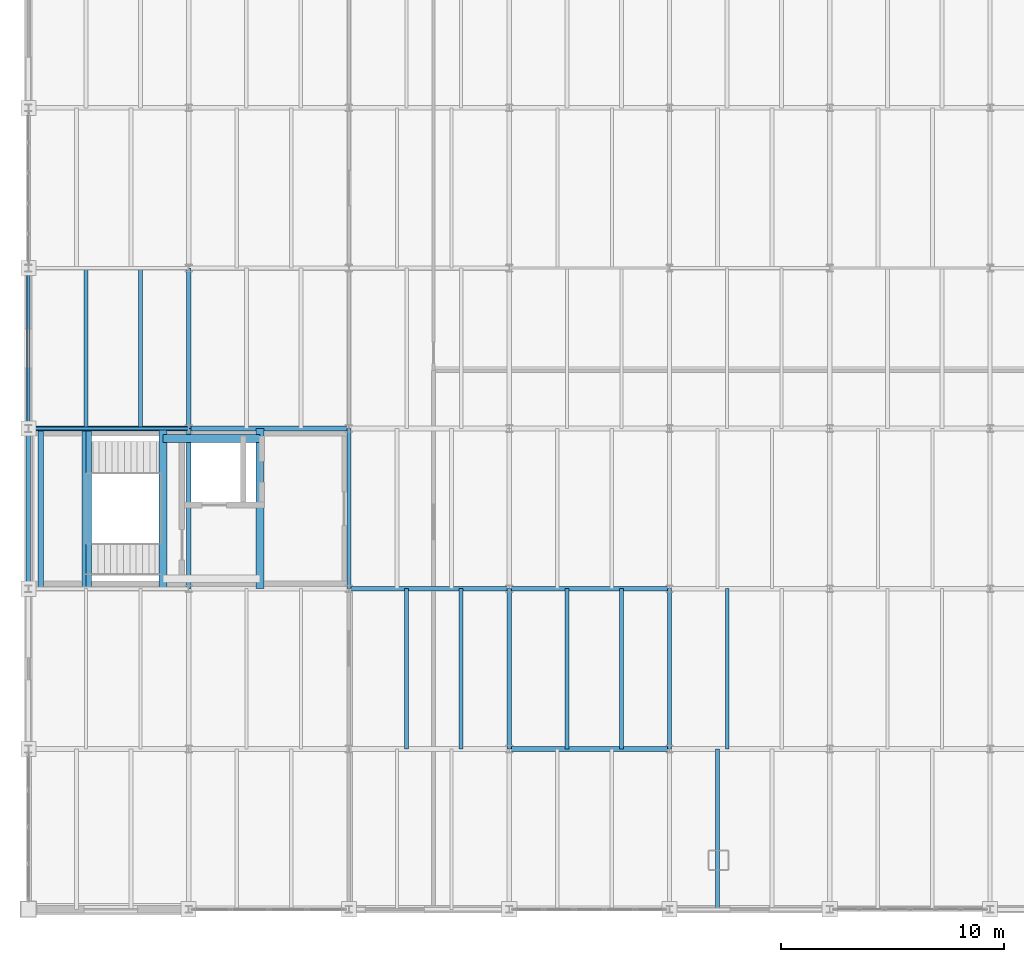
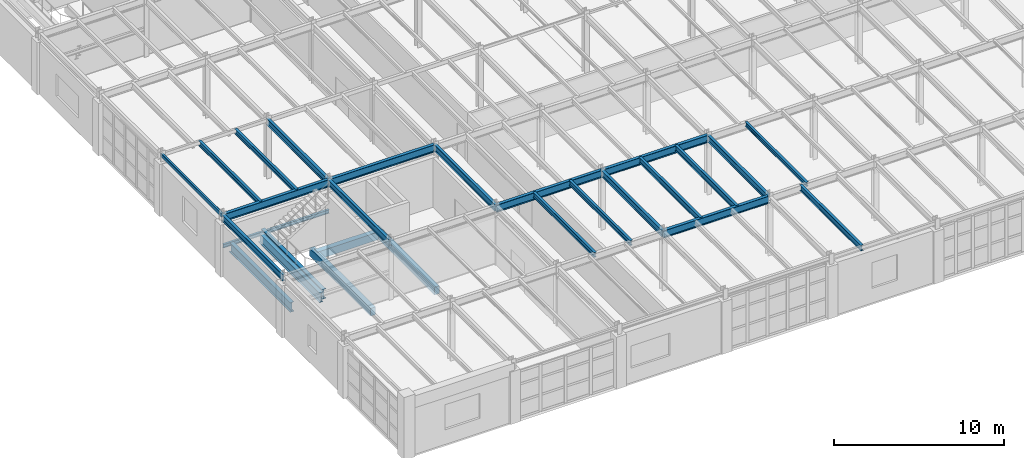
# One storey, part 24 of 137: 27 beams.
"""IFC4 building model written with IfcOpenShell, lengths in metres."""

from ifc_helpers import new_model, si_unit, direction, frame, origin, origin_2d, place, context, subcontext, project, spatial, rectangle, hollow_rectangle, i_section, extrude, material, material_profile, profile_set, type_object, element, save


model = new_model("IFC4")

# Units and contexts
model_context = context("Model", 3, precision=1e-05, world=origin(), true_north=direction((0.0, 1.0)))
body_context = subcontext(model_context, "Body", "Model", "MODEL_VIEW")
ifc_project = project(units=[si_unit("LENGTHUNIT", "METRE"), si_unit("AREAUNIT", "SQUARE_METRE"), si_unit("VOLUMEUNIT", "CUBIC_METRE"), si_unit("PLANEANGLEUNIT", "RADIAN"), si_unit("MASSUNIT", "GRAM", prefix="KILO")], contexts=[model_context])

# Site, building, storey
site_placement = place(None, origin())
site = spatial("IfcSite", under=ifc_project, at=site_placement, CompositionType="ELEMENT")
building_placement = place(site_placement, origin())
building = spatial("IfcBuilding", under=site, at=building_placement, Name="Kemerveld Promenade Tramway Depot", CompositionType="ELEMENT")
storey_placement = place(building_placement, frame((0.0, 0.0, 5.39990234375)))
storey = spatial("IfcBuildingStorey", under=building, at=storey_placement, Name="L01", CompositionType="ELEMENT", Elevation=5.39990234375)

# Beams
ifc_material_1 = material(Name="Steel S355", Category="steel")
ifc_material_profile_1 = material_profile(ifc_material_1, i_section(OverallWidth=0.25439453125, OverallDepth=0.6875, WebThickness=0.01318359375, FlangeThickness=0.02099609375, FilletRadius=0.01513671875, at=origin_2d()), Name="686x254x152 UB")
ifc_profile_set_1 = profile_set([ifc_material_profile_1], Name="Steel S355")
beam_type_1 = type_object("IfcBeamType", Name="BM-G03", PredefinedType="BEAM", material=ifc_profile_set_1)
for number, where, z_axis, x_axis, name in (
    (1, (0.550048828125, 14.39990234375, 1.726318359375), (0.0, 1.0, 0.0), (-1.0, 0.0, 0.0), "BM-HL-ST-01-L01-W"),
    (2, (2.530029296875, 14.39990234375, 1.726318359375), (0.0, 1.0, 0.0), (-1.0, 0.0, 0.0), "BM-HL-ST-01-L01-M"),
    (3, (2.719970703125, 14.39990234375, 1.906494140625), (0.0, 1.0, 0.0), (-1.0, 0.0, 0.0), "BM-HL-ST-01-L01-F2"),
):
    element("IfcBeam", number, at=place(storey_placement, frame(where, z_axis=z_axis, x_axis=x_axis)), inside=storey, type_object=beam_type_1, Name=name, PredefinedType="BEAM", context=body_context, shape_type="SweptSolid", body=[
        extrude(i_section(OverallWidth=0.25439453125, OverallDepth=0.6875, WebThickness=0.01318359375, FlangeThickness=0.02099609375, FilletRadius=0.01513671875, at=origin_2d()), origin(), (0.0, 0.0, 1.0), 7.2001953125),
    ])
ifc_material_profile_2 = material_profile(ifc_material_1, i_section(OverallWidth=0.2099609375, OverallDepth=0.53662109375, WebThickness=0.0107421875, FlangeThickness=0.017333984375, FilletRadius=0.0126953125, at=origin_2d()), Name="533x210x101 UB")
ifc_profile_set_2 = profile_set([ifc_material_profile_2], Name="Steel S355")
beam_type_2 = type_object("IfcBeamType", Name="BM-G05", PredefinedType="BEAM", material=ifc_profile_set_2)
beam_1_placement = place(storey_placement, frame((21.60009765625, 7.199951171875, 3.99169921875), z_axis=(1.0, 0.0, 0.0), x_axis=(0.0, 1.0, 0.0)))
element("IfcBeam", 4, at=beam_1_placement, inside=storey, type_object=beam_type_2, Name="BMX-L01-04-05-B", PredefinedType="BEAM", context=body_context, shape_type="SweptSolid", body=[
    extrude(i_section(OverallWidth=0.2099609375, OverallDepth=0.53662109375, WebThickness=0.0107421875, FlangeThickness=0.017333984375, FilletRadius=0.0126953125, at=origin_2d()), origin(), (0.0, 0.0, 1.0), 7.199951171875),
])
beam_2_placement = place(storey_placement, frame((14.39990234375, 14.39990234375, 3.99169921875), z_axis=(1.0, 0.0, 0.0), x_axis=(0.0, 1.0, 0.0)))
element("IfcBeam", 5, at=beam_2_placement, inside=storey, type_object=beam_type_2, Name="BMX-L01-03-04-C", PredefinedType="BEAM", context=body_context, shape_type="SweptSolid", body=[
    extrude(i_section(OverallWidth=0.2099609375, OverallDepth=0.53662109375, WebThickness=0.0107421875, FlangeThickness=0.017333984375, FilletRadius=0.0126953125, at=origin_2d()), origin(), (0.0, 0.0, 1.0), 7.2001953125),
])
for number, where, z_axis, x_axis, name in (
    (6, (21.60009765625, 14.39990234375, 3.99169921875), (1.0, 0.0, 0.0), (0.0, 1.0, 0.0), "BMX-L01-04-05-C"),
    (7, (0.0, 21.60009765625, 3.99169921875), (1.0, 0.0, 0.0), (0.0, 1.0, 0.0), "BMX-L01-01-02-D"),
    (8, (7.199951171875, 21.60009765625, 3.99169921875), (1.0, 0.0, 0.0), (0.0, 1.0, 0.0), "BMX-L01-02-03-D"),
):
    element("IfcBeam", number, at=place(storey_placement, frame(where, z_axis=z_axis, x_axis=x_axis)), inside=storey, type_object=beam_type_2, Name=name, PredefinedType="BEAM", context=body_context, shape_type="SweptSolid", body=[
        extrude(i_section(OverallWidth=0.2099609375, OverallDepth=0.53662109375, WebThickness=0.0107421875, FlangeThickness=0.017333984375, FilletRadius=0.0126953125, at=origin_2d()), origin(), (0.0, 0.0, 1.0), 7.199951171875),
    ])
ifc_material_profile_3 = material_profile(ifc_material_1, i_section(OverallWidth=0.19140625, OverallDepth=0.4599609375, WebThickness=0.010009765625, FlangeThickness=0.01611328125, FilletRadius=0.01025390625, at=origin_2d()), Name="457x191x82 UB")
ifc_profile_set_3 = profile_set([ifc_material_profile_3], Name="Steel S355")
beam_type_3 = type_object("IfcBeamType", Name="BM-G06", PredefinedType="BEAM", material=ifc_profile_set_3)
for number, where, z_axis, x_axis, name in (
    (9, (0.0, 14.39990234375, 4.030029296875), (0.0, 1.0, 0.0), (-1.0, 0.0, 0.0), "BMY-L01-01-C-D"),
    (10, (7.199951171875, 14.39990234375, 4.030029296875), (0.0, 1.0, 0.0), (-1.0, 0.0, 0.0), "BMY-L01-02-C-D"),
):
    element("IfcBeam", number, at=place(storey_placement, frame(where, z_axis=z_axis, x_axis=x_axis)), inside=storey, type_object=beam_type_3, Name=name, PredefinedType="BEAM", context=body_context, shape_type="SweptSolid", body=[
        extrude(i_section(OverallWidth=0.19140625, OverallDepth=0.4599609375, WebThickness=0.010009765625, FlangeThickness=0.01611328125, FilletRadius=0.01025390625, at=origin_2d()), origin(), (0.0, 0.0, 1.0), 7.2001953125),
    ])
beam_3_placement = place(storey_placement, frame((7.199951171875, 21.60009765625, 4.030029296875), z_axis=(0.0, 1.0, 0.0), x_axis=(-1.0, 0.0, 0.0)))
element("IfcBeam", 11, at=beam_3_placement, inside=storey, type_object=beam_type_3, Name="BMY-L01-02-D-E", PredefinedType="BEAM", context=body_context, shape_type="SweptSolid", body=[
    extrude(i_section(OverallWidth=0.19140625, OverallDepth=0.4599609375, WebThickness=0.010009765625, FlangeThickness=0.01611328125, FilletRadius=0.01025390625, at=origin_2d()), origin(), (0.0, 0.0, 1.0), 7.199951171875),
])
beam_4_placement = place(storey_placement, frame((14.39990234375, 14.39990234375, 4.030029296875), z_axis=(0.0, 1.0, 0.0), x_axis=(-1.0, 0.0, 0.0)))
element("IfcBeam", 12, at=beam_4_placement, inside=storey, type_object=beam_type_3, Name="BMY-L01-03-C-D", PredefinedType="BEAM", context=body_context, shape_type="SweptSolid", body=[
    extrude(i_section(OverallWidth=0.19140625, OverallDepth=0.4599609375, WebThickness=0.010009765625, FlangeThickness=0.01611328125, FilletRadius=0.01025390625, at=origin_2d()), origin(), (0.0, 0.0, 1.0), 7.2001953125),
])
for number, where, z_axis, x_axis, name in (
    (13, (21.60009765625, 7.199951171875, 4.030029296875), (0.0, 1.0, 0.0), (-1.0, 0.0, 0.0), "BMY-L01-04-B-C"),
    (14, (28.800048828125, 7.199951171875, 4.030029296875), (0.0, 1.0, 0.0), (-1.0, 0.0, 0.0), "BMY-L01-05-B-C"),
):
    element("IfcBeam", number, at=place(storey_placement, frame(where, z_axis=z_axis, x_axis=x_axis)), inside=storey, type_object=beam_type_3, Name=name, PredefinedType="BEAM", context=body_context, shape_type="SweptSolid", body=[
        extrude(i_section(OverallWidth=0.19140625, OverallDepth=0.4599609375, WebThickness=0.010009765625, FlangeThickness=0.01611328125, FilletRadius=0.01025390625, at=origin_2d()), origin(), (0.0, 0.0, 1.0), 7.199951171875),
    ])
ifc_material_profile_4 = material_profile(ifc_material_1, i_section(OverallWidth=0.165771484375, OverallDepth=0.306640625, WebThickness=0.006591796875, FlangeThickness=0.01171875, FilletRadius=0.0087890625, at=origin_2d()), Name="305x165x46 UB")
ifc_profile_set_4 = profile_set([ifc_material_profile_4], Name="Steel S355")
beam_type_4 = type_object("IfcBeamType", Name="BM-J01", PredefinedType="JOIST", material=ifc_profile_set_4)
beam_5_placement = place(storey_placement, frame((31.39208984375, 7.199951171875, 4.106689453125), z_axis=(0.0, 1.0, 0.0), x_axis=(-1.0, 0.0, 0.0)))
element("IfcBeam", 15, at=beam_5_placement, inside=storey, type_object=beam_type_4, Name="JST-L01-05-B-1", PredefinedType="JOIST", context=body_context, shape_type="SweptSolid", body=[
    extrude(i_section(OverallWidth=0.165771484375, OverallDepth=0.306640625, WebThickness=0.006591796875, FlangeThickness=0.01171875, FilletRadius=0.0087890625, at=origin_2d()), origin(), (0.0, 0.0, 1.0), 7.199951171875),
])
ifc_material_profile_5 = material_profile(ifc_material_1, i_section(OverallWidth=0.146484375, OverallDepth=0.256103515625, WebThickness=0.00634765625, FlangeThickness=0.010986328125, FilletRadius=0.007568359375, at=origin_2d()), Name="254x146x37 UB")
ifc_profile_set_5 = profile_set([ifc_material_profile_5], Name="Steel S355")
beam_type_5 = type_object("IfcBeamType", Name="BM-J02", PredefinedType="JOIST", material=ifc_profile_set_5)
beam_6_placement = place(storey_placement, frame((0.0, 21.60009765625, 1.942138671875), z_axis=(1.0, 0.0, 0.0), x_axis=(0.0, 1.0, 0.0)))
element("IfcBeam", 16, at=beam_6_placement, inside=storey, type_object=beam_type_5, Name="BM-HLY-ST-01-L01-N", PredefinedType="JOIST", context=body_context, shape_type="SweptSolid", body=[
    extrude(i_section(OverallWidth=0.146484375, OverallDepth=0.256103515625, WebThickness=0.00634765625, FlangeThickness=0.010986328125, FilletRadius=0.007568359375, at=origin_2d()), origin(), (0.0, 0.0, 1.0), 7.199951171875),
])
ifc_material_profile_6 = material_profile(ifc_material_1, i_section(OverallWidth=0.172119140625, OverallDepth=0.35791015625, WebThickness=0.008056640625, FlangeThickness=0.012939453125, FilletRadius=0.01025390625, at=origin_2d()), Name="356x171x57 UB")
ifc_profile_set_6 = profile_set([ifc_material_profile_6], Name="Steel S355")
beam_type_6 = type_object("IfcBeamType", Name="BM-J04", PredefinedType="JOIST", material=ifc_profile_set_6)
for number, where, z_axis, x_axis, name in (
    (17, (2.592041015625, 21.60009765625, 4.0810546875), (0.0, 1.0, 0.0), (-1.0, 0.0, 0.0), "JST-L01-01-D-1"),
    (18, (5.0400390625, 21.60009765625, 4.0810546875), (0.0, 1.0, 0.0), (-1.0, 0.0, 0.0), "JST-L01-01-D-2"),
    (19, (16.991943359375, 7.199951171875, 4.0810546875), (0.0, 1.0, 0.0), (-1.0, 0.0, 0.0), "JST-L01-03-B-1"),
    (20, (19.43994140625, 7.199951171875, 4.0810546875), (0.0, 1.0, 0.0), (-1.0, 0.0, 0.0), "JST-L01-03-B-2"),
):
    element("IfcBeam", number, at=place(storey_placement, frame(where, z_axis=z_axis, x_axis=x_axis)), inside=storey, type_object=beam_type_6, Name=name, PredefinedType="JOIST", context=body_context, shape_type="SweptSolid", body=[
        extrude(i_section(OverallWidth=0.172119140625, OverallDepth=0.35791015625, WebThickness=0.008056640625, FlangeThickness=0.012939453125, FilletRadius=0.01025390625, at=origin_2d()), origin(), (0.0, 0.0, 1.0), 7.199951171875),
    ])
ifc_material_profile_7 = material_profile(ifc_material_1, i_section(OverallWidth=0.1787109375, OverallDepth=0.409423828125, WebThickness=0.0087890625, FlangeThickness=0.014404296875, FilletRadius=0.01025390625, at=origin_2d()), Name="406x178x67 UB")
ifc_profile_set_7 = profile_set([ifc_material_profile_7], Name="Steel S355")
beam_type_7 = type_object("IfcBeamType", Name="BM-J05", PredefinedType="JOIST", material=ifc_profile_set_7)
for number, where, z_axis, x_axis, name in (
    (21, (24.19189453125, 7.199951171875, 4.055419921875), (0.0, 1.0, 0.0), (-1.0, 0.0, 0.0), "JST-L01-04-B-1"),
    (22, (26.639892578125, 7.199951171875, 4.055419921875), (0.0, 1.0, 0.0), (-1.0, 0.0, 0.0), "JST-L01-04-B-2"),
    (23, (30.9599609375, 0.0, 4.055419921875), (0.0, 1.0, 0.0), (-1.0, 0.0, 0.0), "JST-L01-05-A-1"),
):
    element("IfcBeam", number, at=place(storey_placement, frame(where, z_axis=z_axis, x_axis=x_axis)), inside=storey, type_object=beam_type_7, Name=name, PredefinedType="JOIST", context=body_context, shape_type="SweptSolid", body=[
        extrude(i_section(OverallWidth=0.1787109375, OverallDepth=0.409423828125, WebThickness=0.0087890625, FlangeThickness=0.014404296875, FilletRadius=0.01025390625, at=origin_2d()), origin(), (0.0, 0.0, 1.0), 7.199951171875),
    ])
ifc_material_2 = material(Name="Concrete C40/50", Category="concrete")
ifc_material_profile_8 = material_profile(ifc_material_2, rectangle(XDim=0.35009765625, YDim=0.550048828125, at=origin_2d()), Name="RC-BM-350x550")
ifc_profile_set_8 = profile_set([ifc_material_profile_8], Name="Concrete C40/50")
beam_type_8 = type_object("IfcBeamType", Name="BM-RC3", PredefinedType="BEAM", material=ifc_profile_set_8)
for number, where, z_axis, x_axis, name in (
    (24, (6.050048828125, 14.39990234375, -0.52978515625), (0.0, 1.0, 0.0), (-1.0, 0.0, 0.0), "BM-CORE-C1-L01-W"),
    (25, (10.39990234375, 14.39990234375, -0.52978515625), (0.0, 1.0, 0.0), (-1.0, 0.0, 0.0), "BM-CORE-C1-L01-E"),
):
    element("IfcBeam", number, at=place(storey_placement, frame(where, z_axis=z_axis, x_axis=x_axis)), inside=storey, type_object=beam_type_8, Name=name, PredefinedType="BEAM", context=body_context, shape_type="SweptSolid", body=[
        extrude(rectangle(XDim=0.35009765625, YDim=0.550048828125, at=origin_2d()), origin(), (0.0, 0.0, 1.0), 7.2001953125),
    ])
beam_7_placement = place(storey_placement, frame((6.050048828125, 21.14990234375, -0.52978515625), z_axis=(1.0, 0.0, 0.0), x_axis=(0.0, 1.0, 0.0)))
element("IfcBeam", 26, at=beam_7_placement, inside=storey, type_object=beam_type_8, Name="BM-COREX-C1-L01-N", PredefinedType="BEAM", context=body_context, shape_type="SweptSolid", body=[
    extrude(rectangle(XDim=0.35009765625, YDim=0.550048828125, at=origin_2d()), origin(), (0.0, 0.0, 1.0), 4.349853515625),
])
ifc_material_profile_9 = material_profile(ifc_material_1, hollow_rectangle(XDim=0.14990234375, YDim=0.25, WallThickness=0.010009765625, InnerFilletRadius=0.0048828125, OuterFilletRadius=0.014892578125, at=origin_2d()), Name="250x150x10.0 RHS")
ifc_profile_set_9 = profile_set([ifc_material_profile_9], Name="Steel S355")
beam_type_9 = type_object("IfcBeamType", Name="BM-SP2", PredefinedType="SPANDREL", material=ifc_profile_set_9)
beam_8_placement = place(storey_placement, frame((0.0, 21.60009765625, 4.135009765625), z_axis=(0.0, 1.0, 0.0), x_axis=(-1.0, 0.0, 0.0)))
element("IfcBeam", 27, at=beam_8_placement, inside=storey, type_object=beam_type_9, Name="BMY-L01-01-D-E", PredefinedType="SPANDREL", context=body_context, shape_type="SweptSolid", body=[
    extrude(hollow_rectangle(XDim=0.14990234375, YDim=0.25, WallThickness=0.010009765625, InnerFilletRadius=0.0048828125, OuterFilletRadius=0.014892578125, at=origin_2d()), origin(), (0.0, 0.0, 1.0), 7.199951171875),
])

save(model, "model.ifc")
